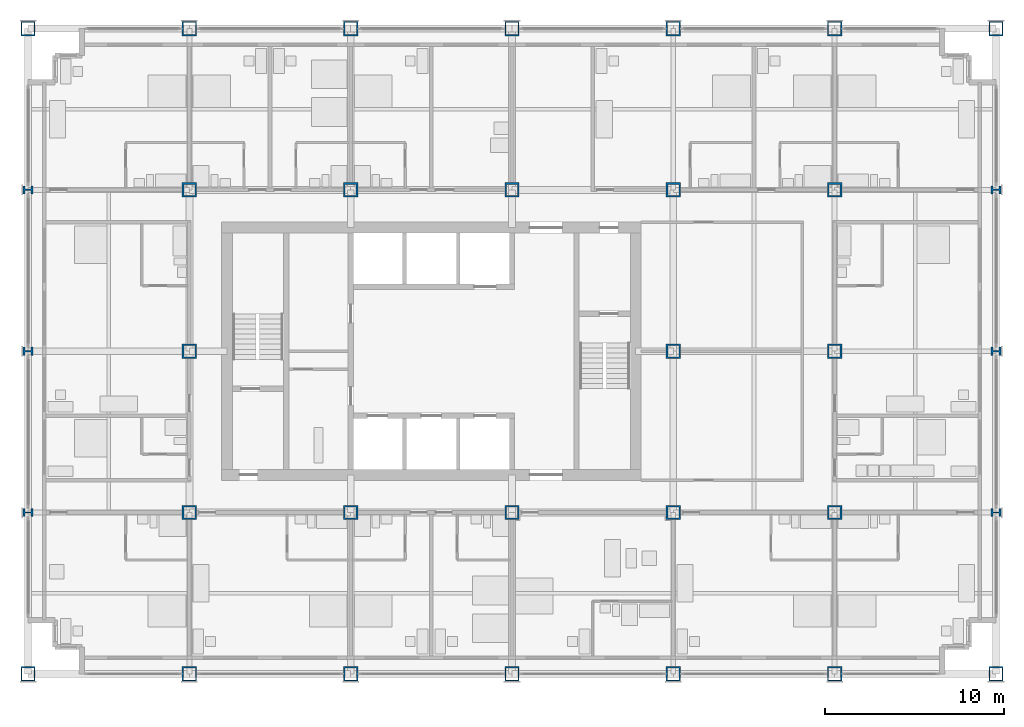
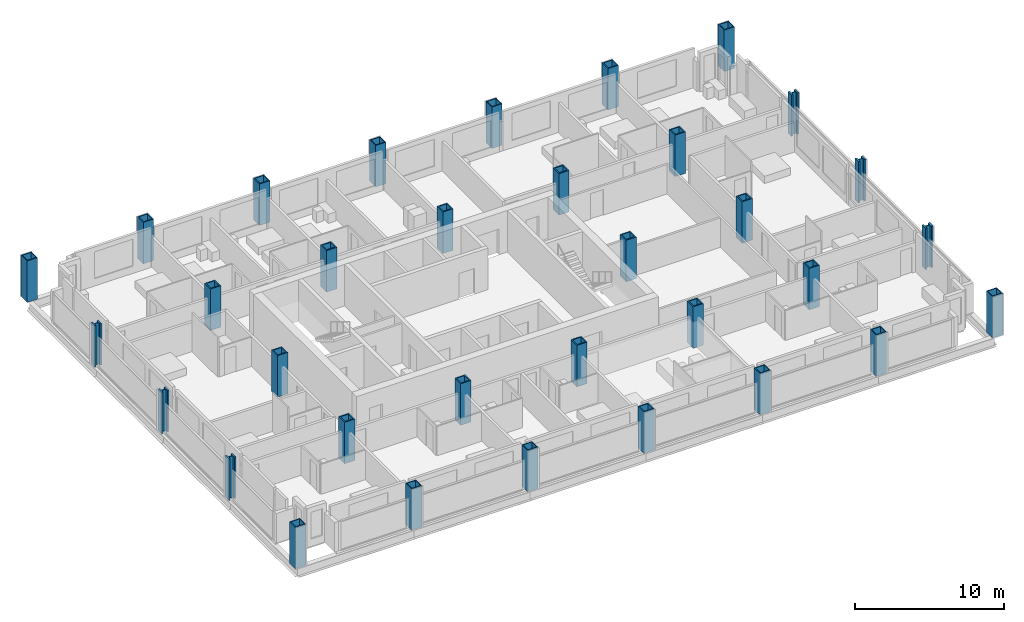
# One storey, part 1 of 18: 33 columns.
"""IFC4 building model written with IfcOpenShell, lengths in metres."""

from ifc_helpers import new_model, si_unit, direction, frame, origin, origin_2d, place, context, subcontext, project, spatial, hollow_rectangle, i_section, extrude, material, material_profile, profile_set, type_object, element, save


model = new_model("IFC4")

# Units and contexts
model_context = context("Model", 3, precision=1e-05, world=origin(), true_north=direction((0.0, 1.0)))
body_context = subcontext(model_context, "Body", "Model", "MODEL_VIEW")
ifc_project = project(units=[si_unit("LENGTHUNIT", "METRE"), si_unit("AREAUNIT", "SQUARE_METRE"), si_unit("VOLUMEUNIT", "CUBIC_METRE"), si_unit("PLANEANGLEUNIT", "RADIAN"), si_unit("MASSUNIT", "GRAM", prefix="KILO")], contexts=[model_context])

# Site, building, storey
site_placement = place(None, origin())
site = spatial("IfcSite", under=ifc_project, at=site_placement, CompositionType="ELEMENT")
building_placement = place(site_placement, origin())
building = spatial("IfcBuilding", under=site, at=building_placement, Name="Loomwork Tower", CompositionType="ELEMENT")
storey_placement = place(building_placement, frame((0.0, 0.0, 62.0)))
storey = spatial("IfcBuildingStorey", under=building, at=storey_placement, Name="L15", CompositionType="ELEMENT", Elevation=62.0)

# Columns
ifc_material_1 = material(Name="Steel ASTM A572 Grade 50 plate", Category="steel")
ifc_material_profile_1 = material_profile(ifc_material_1, hollow_rectangle(XDim=0.800048828125, YDim=0.800048828125, WallThickness=0.070068359375, at=origin_2d()), Name="BOX800x70")
ifc_profile_set_1 = profile_set([ifc_material_profile_1], Name="Steel ASTM A572 Grade 50 plate")
column_type_1 = type_object("IfcColumnType", Name="EXOSKELETON PIER BOX800x70", PredefinedType="COLUMN", material=ifc_profile_set_1)
for number, where, z_axis, x_axis, name in (
    (1, (0.0, 0.0, 0.0), (0.0, 0.0, 1.0), (1.0, 0.0, 0.0), "Exoskeleton Pier D/2 L15"),
    (2, (0.0, 36.0, 0.0), (0.0, 0.0, 1.0), (1.0, 0.0, 0.0), "Exoskeleton Pier H/2 L15"),
    (3, (9.0, 0.0, 0.0), (0.0, 0.0, 1.0), (1.0, 0.0, 0.0), "Exoskeleton Pier D/3 L15"),
    (4, (9.0, 36.0, 0.0), (0.0, 0.0, 1.0), (1.0, 0.0, 0.0), "Exoskeleton Pier H/3 L15"),
    (5, (18.0, 0.0, 0.0), (0.0, 0.0, 1.0), (1.0, 0.0, 0.0), "Exoskeleton Pier D/4 L15"),
    (6, (18.0, 36.0, 0.0), (0.0, 0.0, 1.0), (1.0, 0.0, 0.0), "Exoskeleton Pier H/4 L15"),
    (7, (27.0, 0.0, 0.0), (0.0, 0.0, 1.0), (1.0, 0.0, 0.0), "Exoskeleton Pier D/5 L15"),
    (8, (27.0, 36.0, 0.0), (0.0, 0.0, 1.0), (1.0, 0.0, 0.0), "Exoskeleton Pier H/5 L15"),
    (9, (36.0, 0.0, 0.0), (0.0, 0.0, 1.0), (1.0, 0.0, 0.0), "Exoskeleton Pier D/6 L15"),
    (10, (36.0, 36.0, 0.0), (0.0, 0.0, 1.0), (1.0, 0.0, 0.0), "Exoskeleton Pier H/6 L15"),
    (11, (45.0, 0.0, 0.0), (0.0, 0.0, 1.0), (1.0, 0.0, 0.0), "Exoskeleton Pier D/7 L15"),
    (12, (45.0, 36.0, 0.0), (0.0, 0.0, 1.0), (1.0, 0.0, 0.0), "Exoskeleton Pier H/7 L15"),
    (13, (54.0, 0.0, 0.0), (0.0, 0.0, 1.0), (1.0, 0.0, 0.0), "Exoskeleton Pier D/8 L15"),
    (14, (54.0, 36.0, 0.0), (0.0, 0.0, 1.0), (1.0, 0.0, 0.0), "Exoskeleton Pier H/8 L15"),
):
    element("IfcColumn", number, at=place(storey_placement, frame(where, z_axis=z_axis, x_axis=x_axis)), inside=storey, type_object=column_type_1, Name=name, PredefinedType="COLUMN", context=body_context, shape_type="SweptSolid", body=[
        extrude(hollow_rectangle(XDim=0.800048828125, YDim=0.800048828125, WallThickness=0.070068359375, at=origin_2d()), origin(), (0.0, 0.0, 1.0), 3.39990234375),
    ])
ifc_material_2 = material(Name="Steel ASTM A992", Category="steel")
ifc_material_profile_2 = material_profile(ifc_material_2, i_section(OverallWidth=0.45458984375, OverallDepth=0.56884765625, WebThickness=0.077880859375, FlangeThickness=0.124755859375, at=origin_2d()), Name="W14x730")
ifc_profile_set_2 = profile_set([ifc_material_profile_2], Name="Steel ASTM A992")
column_type_2 = type_object("IfcColumnType", Name="EXOSKELETON PIER W14x730", PredefinedType="COLUMN", material=ifc_profile_set_2)
for number, where, z_axis, x_axis, name in (
    (15, (0.0, 9.0, 0.0), (0.0, 0.0, 1.0), (0.0, 1.0, 0.0), "Exoskeleton Pier E/2 L15"),
    (16, (0.0, 18.0, 0.0), (0.0, 0.0, 1.0), (0.0, 1.0, 0.0), "Exoskeleton Pier F/2 L15"),
    (17, (0.0, 27.0, 0.0), (0.0, 0.0, 1.0), (0.0, 1.0, 0.0), "Exoskeleton Pier G/2 L15"),
    (18, (54.0, 9.0, 0.0), (0.0, 0.0, 1.0), (0.0, 1.0, 0.0), "Exoskeleton Pier E/8 L15"),
    (19, (54.0, 18.0, 0.0), (0.0, 0.0, 1.0), (0.0, 1.0, 0.0), "Exoskeleton Pier F/8 L15"),
    (20, (54.0, 27.0, 0.0), (0.0, 0.0, 1.0), (0.0, 1.0, 0.0), "Exoskeleton Pier G/8 L15"),
):
    element("IfcColumn", number, at=place(storey_placement, frame(where, z_axis=z_axis, x_axis=x_axis)), inside=storey, type_object=column_type_2, Name=name, PredefinedType="COLUMN", context=body_context, shape_type="SweptSolid", body=[
        extrude(i_section(OverallWidth=0.45458984375, OverallDepth=0.56884765625, WebThickness=0.077880859375, FlangeThickness=0.124755859375, at=origin_2d()), origin(), (0.0, 0.0, 1.0), 3.39990234375),
    ])
ifc_material_3 = material(Name="Steel ASTM A572 Grade 50 plate", Category="steel")
ifc_material_profile_3 = material_profile(ifc_material_3, hollow_rectangle(XDim=0.800048828125, YDim=0.800048828125, WallThickness=0.090087890625, at=origin_2d()), Name="BOX800x90")
ifc_profile_set_3 = profile_set([ifc_material_profile_3], Name="Steel ASTM A572 Grade 50 plate")
column_type_3 = type_object("IfcColumnType", Name="TOWER COLUMN BOX800x90", PredefinedType="COLUMN", material=ifc_profile_set_3)
for number, where, z_axis, x_axis, name in (
    (21, (9.0, 9.0, 0.0), (0.0, 0.0, 1.0), (1.0, 0.0, 0.0), "Tower Column E/3 L15"),
    (22, (9.0, 18.0, 0.0), (0.0, 0.0, 1.0), (1.0, 0.0, 0.0), "Tower Column F/3 L15"),
    (23, (9.0, 27.0, 0.0), (0.0, 0.0, 1.0), (1.0, 0.0, 0.0), "Tower Column G/3 L15"),
    (24, (18.0, 9.0, 0.0), (0.0, 0.0, 1.0), (1.0, 0.0, 0.0), "Tower Column E/4 L15"),
    (25, (18.0, 27.0, 0.0), (0.0, 0.0, 1.0), (1.0, 0.0, 0.0), "Tower Column G/4 L15"),
    (26, (27.0, 9.0, 0.0), (0.0, 0.0, 1.0), (1.0, 0.0, 0.0), "Tower Column E/5 L15"),
    (27, (27.0, 27.0, 0.0), (0.0, 0.0, 1.0), (1.0, 0.0, 0.0), "Tower Column G/5 L15"),
    (28, (36.0, 9.0, 0.0), (0.0, 0.0, 1.0), (0.0, 1.0, 0.0), "Tower Column E/6 L15"),
    (29, (36.0, 18.0, 0.0), (0.0, 0.0, 1.0), (0.0, 1.0, 0.0), "Tower Column F/6 L15"),
    (30, (36.0, 27.0, 0.0), (0.0, 0.0, 1.0), (1.0, 0.0, 0.0), "Tower Column G/6 L15"),
    (31, (45.0, 9.0, 0.0), (0.0, 0.0, 1.0), (0.0, 1.0, 0.0), "Tower Column E/7 L15"),
    (32, (45.0, 18.0, 0.0), (0.0, 0.0, 1.0), (0.0, 1.0, 0.0), "Tower Column F/7 L15"),
    (33, (45.0, 27.0, 0.0), (0.0, 0.0, 1.0), (0.0, 1.0, 0.0), "Tower Column G/7 L15"),
):
    element("IfcColumn", number, at=place(storey_placement, frame(where, z_axis=z_axis, x_axis=x_axis)), inside=storey, type_object=column_type_3, Name=name, PredefinedType="COLUMN", context=body_context, shape_type="SweptSolid", body=[
        extrude(hollow_rectangle(XDim=0.800048828125, YDim=0.800048828125, WallThickness=0.090087890625, at=origin_2d()), origin(), (0.0, 0.0, 1.0), 3.39990234375),
    ])

save(model, "model.ifc")
